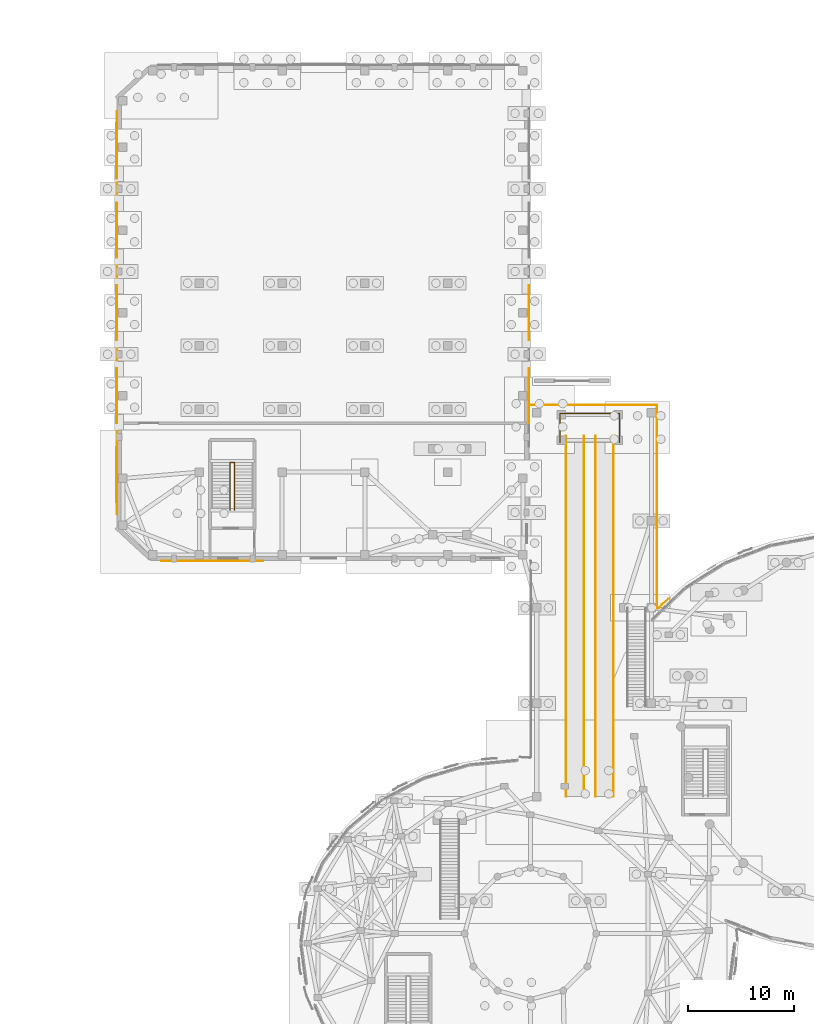
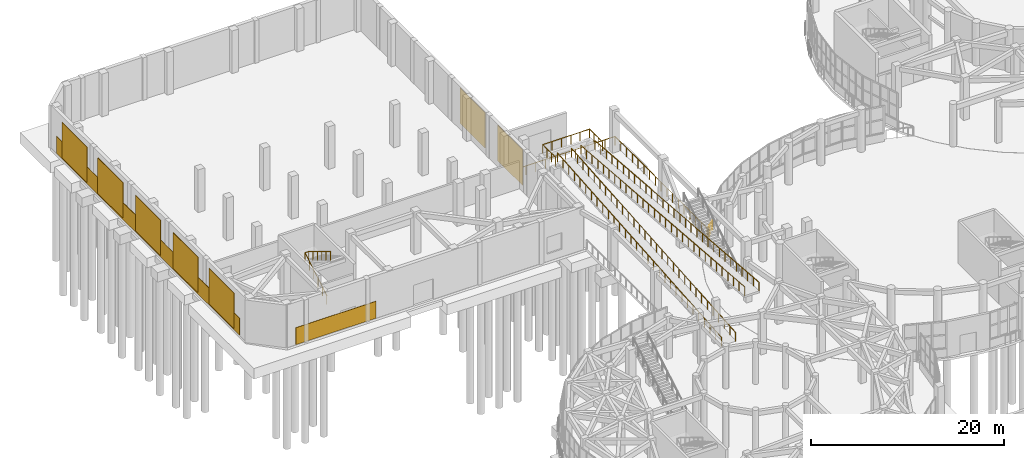
# One storey, part 87 of 96: 9 coverings, 8 railings.
"""IFC4 building model written with IfcOpenShell, lengths in metres."""

from ifc_helpers import new_model, si_unit, direction, frame, origin, origin_2d, place, context, subcontext, project, spatial, rectangle, circle, extrude, material, layer, layer_set, type_object, element, save


model = new_model("IFC4")

# Units and contexts
model_context = context("Model", 3, precision=1e-05, world=origin(), true_north=direction((0.0, 1.0)))
body_context = subcontext(model_context, "Body", "Model", "MODEL_VIEW")
ifc_project = project(units=[si_unit("LENGTHUNIT", "METRE"), si_unit("AREAUNIT", "SQUARE_METRE"), si_unit("VOLUMEUNIT", "CUBIC_METRE"), si_unit("PLANEANGLEUNIT", "RADIAN"), si_unit("MASSUNIT", "GRAM", prefix="KILO")], contexts=[model_context])

# Site, building, storey
site_placement = place(None, origin())
site = spatial("IfcSite", under=ifc_project, at=site_placement, CompositionType="ELEMENT")
building_placement = place(site_placement, origin())
building = spatial("IfcBuilding", under=site, at=building_placement, Name="Pelvatis Terrace Science Centre", CompositionType="ELEMENT")
storey_placement = place(building_placement, origin())
storey = spatial("IfcBuildingStorey", under=building, at=storey_placement, Name="L00", CompositionType="ELEMENT", Elevation=0.0)

# Coverings
ifc_material_1 = material(Name="Polished black Uruguayan granite ashlar cladding", Category="masonry")
ifc_layer_1 = layer(ifc_material_1, 0.050048828125)
ifc_layer_set_1 = layer_set([ifc_layer_1], Name="Polished black Uruguayan granite ashlar cladding")
covering_type_1 = type_object("IfcCoveringType", Name="COV-CLAD-GRAN-50", PredefinedType="CLADDING", material=ifc_layer_set_1)
covering_1_placement = place(storey_placement, frame((7.820068359375, 93.60009765625, 0.050048828125), z_axis=(0.0, 0.0, 1.0), x_axis=(1.0, 0.0, 0.0)))
element("IfcCovering", 1, at=covering_1_placement, inside=storey, type_object=covering_type_1, Name="Theatre black granite ashlar plinth W", PredefinedType="CLADDING", context=body_context, shape_type="SweptSolid", body=[
    extrude(rectangle(XDim=0.050048828125, YDim=38.0, at=origin_2d()), origin(), (0.0, 0.0, 1.0), 2.14990234375),
])
covering_2_placement = place(storey_placement, frame((16.800048828125, 70.219970703125, 0.050048828125), z_axis=(0.0, 0.0, 1.0), x_axis=(1.0, 0.0, 0.0)))
element("IfcCovering", 2, at=covering_2_placement, inside=storey, type_object=covering_type_1, Name="Theatre black granite ashlar plinth S", PredefinedType="CLADDING", context=body_context, shape_type="SweptSolid", body=[
    extrude(rectangle(XDim=9.60009765625, YDim=0.050048828125, at=origin_2d()), origin(), (0.0, 0.0, 1.0), 2.14990234375),
])
ifc_material_2 = material(Name="Fluted warm stone-aggregate precast facade relief panel", Category="masonry")
ifc_layer_2 = layer(ifc_material_2, 0.054931640625)
ifc_layer_set_2 = layer_set([ifc_layer_2], Name="Fluted warm stone-aggregate precast facade relief panel")
covering_type_2 = type_object("IfcCoveringType", Name="COV-CLAD-PREC-55", PredefinedType="CLADDING", material=ifc_layer_set_2)
for number, where, z_axis, x_axis, name in (
    (3, (7.8173828125, 78.35009765625, 0.199951171875), (0.0, 0.0, 1.0), (1.0, 0.0, 0.0), "Theatre fluted Art Deco relief panel W1 (L00)"),
    (4, (7.8173828125, 85.800048828125, 0.199951171875), (0.0, 0.0, 1.0), (1.0, 0.0, 0.0), "Theatre fluted Art Deco relief panel W2 (L00)"),
    (5, (7.8173828125, 93.60009765625, 0.199951171875), (0.0, 0.0, 1.0), (1.0, 0.0, 0.0), "Theatre fluted Art Deco relief panel W3 (L00)"),
    (6, (7.8173828125, 101.39990234375, 0.199951171875), (0.0, 0.0, 1.0), (1.0, 0.0, 0.0), "Theatre fluted Art Deco relief panel W4 (L00)"),
    (7, (7.8173828125, 108.85009765625, 0.199951171875), (0.0, 0.0, 1.0), (1.0, 0.0, 0.0), "Theatre fluted Art Deco relief panel W5 (L00)"),
    (8, (46.6826171875, 85.800048828125, 0.199951171875), (0.0, 0.0, 1.0), (1.0, 0.0, 0.0), "Theatre fluted Art Deco relief panel E1 (L00)"),
    (9, (46.6826171875, 93.60009765625, 0.199951171875), (0.0, 0.0, 1.0), (1.0, 0.0, 0.0), "Theatre fluted Art Deco relief panel E2 (L00)"),
):
    element("IfcCovering", number, at=place(storey_placement, frame(where, z_axis=z_axis, x_axis=x_axis)), inside=storey, type_object=covering_type_2, Name=name, PredefinedType="CLADDING", context=body_context, shape_type="SweptSolid", body=[
        extrude(rectangle(XDim=0.054931640625, YDim=5.199951171875, at=origin_2d()), origin(), (0.0, 0.0, 1.0), 4.5),
    ])

# Railings
ifc_material_3 = material(Name="Bronze-anodised aluminium and laminated safety glass balustrade", Category="aluminium")
railing_type_1 = type_object("IfcRailingType", Name="RLG-BAL-1150", PredefinedType="BALUSTRADE", material=ifc_material_3)
railing_1_placement = place(storey_placement, frame((46.875, 84.93994140625, 0.0)))
element("IfcRailing", 10, at=railing_1_placement, inside=storey, type_object=railing_type_1, Name="Perimeter edge balustrade RLG-EDG-L00-015", PredefinedType="BALUSTRADE", context=body_context, shape_type="SweptSolid", body=[
    extrude(circle(Radius=0.02392578125, at=origin_2d()), frame((0.0, 0.0, 1.1259765625), z_axis=(1.0, 0.0, 0.0), x_axis=(0.0, 1.0, 0.0)), (0.0, 0.0, 1.0), 11.864990234375),
    extrude(circle(Radius=0.02392578125, at=origin_2d()), frame((11.864990234375, 0.0, 1.1259765625), z_axis=(0.0, -1.0, 0.0), x_axis=(1.0, 0.0, 0.0)), (0.0, 0.0, 1.0), 19.093994140625),
    extrude(circle(Radius=0.02392578125, at=origin_2d()), frame((11.864990234375, -19.093994140625, 1.1259765625), z_axis=(0.521355438832, -0.853339619613, 0.0), x_axis=(0.853339619613, 0.521355438832, 0.0)), (0.0, 0.0, 1.0), 0.1044921875),
    extrude(circle(Radius=0.02392578125, at=origin_2d()), frame((11.91943359375, -19.18310546875, 1.1259765625), z_axis=(0.995986722367, 0.089501110996, 0.0), x_axis=(-0.089501110996, 0.995986722367, 0.0)), (0.0, 0.0, 1.0), 0.1064453125),
    extrude(circle(Radius=0.02099609375, at=origin_2d()), origin(), (0.0, 0.0, 1.0), 1.101806640625),
    extrude(circle(Radius=0.02099609375, at=origin_2d()), frame((1.1865234375, 0.0, 0.0)), (0.0, 0.0, 1.0), 1.101806640625),
    extrude(circle(Radius=0.02099609375, at=origin_2d()), frame((2.373046875, 0.0, 0.0)), (0.0, 0.0, 1.0), 1.101806640625),
    extrude(circle(Radius=0.02099609375, at=origin_2d()), frame((3.5595703125, 0.0, 0.0)), (0.0, 0.0, 1.0), 1.101806640625),
    extrude(circle(Radius=0.02099609375, at=origin_2d()), frame((4.74609375, 0.0, 0.0)), (0.0, 0.0, 1.0), 1.101806640625),
    extrude(circle(Radius=0.02099609375, at=origin_2d()), frame((5.9326171875, 0.0, 0.0)), (0.0, 0.0, 1.0), 1.101806640625),
    extrude(circle(Radius=0.02099609375, at=origin_2d()), frame((7.118896484375, 0.0, 0.0)), (0.0, 0.0, 1.0), 1.101806640625),
    extrude(circle(Radius=0.02099609375, at=origin_2d()), frame((8.305419921875, 0.0, 0.0)), (0.0, 0.0, 1.0), 1.101806640625),
    extrude(circle(Radius=0.02099609375, at=origin_2d()), frame((9.491943359375, 0.0, 0.0)), (0.0, 0.0, 1.0), 1.101806640625),
    extrude(circle(Radius=0.02099609375, at=origin_2d()), frame((10.678466796875, 0.0, 0.0)), (0.0, 0.0, 1.0), 1.101806640625),
    extrude(circle(Radius=0.02099609375, at=origin_2d()), frame((11.864990234375, 0.0, 0.0)), (0.0, 0.0, 1.0), 1.101806640625),
    extrude(circle(Radius=0.02099609375, at=origin_2d()), frame((11.864990234375, -1.193359375, 0.0)), (0.0, 0.0, 1.0), 1.101806640625),
    extrude(circle(Radius=0.02099609375, at=origin_2d()), frame((11.864990234375, -2.38671875, 0.0)), (0.0, 0.0, 1.0), 1.101806640625),
    extrude(circle(Radius=0.02099609375, at=origin_2d()), frame((11.864990234375, -3.580078125, 0.0)), (0.0, 0.0, 1.0), 1.101806640625),
    extrude(circle(Radius=0.02099609375, at=origin_2d()), frame((11.864990234375, -4.7734375, 0.0)), (0.0, 0.0, 1.0), 1.101806640625),
    extrude(circle(Radius=0.02099609375, at=origin_2d()), frame((11.864990234375, -5.966796875, 0.0)), (0.0, 0.0, 1.0), 1.101806640625),
    extrude(circle(Radius=0.02099609375, at=origin_2d()), frame((11.864990234375, -7.16015625, 0.0)), (0.0, 0.0, 1.0), 1.101806640625),
    extrude(circle(Radius=0.02099609375, at=origin_2d()), frame((11.864990234375, -8.353515625, 0.0)), (0.0, 0.0, 1.0), 1.101806640625),
    extrude(circle(Radius=0.02099609375, at=origin_2d()), frame((11.864990234375, -9.546875, 0.0)), (0.0, 0.0, 1.0), 1.101806640625),
    extrude(circle(Radius=0.02099609375, at=origin_2d()), frame((11.864990234375, -10.740478515625, 0.0)), (0.0, 0.0, 1.0), 1.101806640625),
    extrude(circle(Radius=0.02099609375, at=origin_2d()), frame((11.864990234375, -11.933837890625, 0.0)), (0.0, 0.0, 1.0), 1.101806640625),
    extrude(circle(Radius=0.02099609375, at=origin_2d()), frame((11.864990234375, -13.127197265625, 0.0)), (0.0, 0.0, 1.0), 1.101806640625),
    extrude(circle(Radius=0.02099609375, at=origin_2d()), frame((11.864990234375, -14.320556640625, 0.0)), (0.0, 0.0, 1.0), 1.101806640625),
    extrude(circle(Radius=0.02099609375, at=origin_2d()), frame((11.864990234375, -15.513916015625, 0.0)), (0.0, 0.0, 1.0), 1.101806640625),
    extrude(circle(Radius=0.02099609375, at=origin_2d()), frame((11.864990234375, -16.707275390625, 0.0)), (0.0, 0.0, 1.0), 1.101806640625),
    extrude(circle(Radius=0.02099609375, at=origin_2d()), frame((11.864990234375, -17.900634765625, 0.0)), (0.0, 0.0, 1.0), 1.101806640625),
    extrude(circle(Radius=0.02099609375, at=origin_2d()), frame((11.864990234375, -19.093994140625, 0.0)), (0.0, 0.0, 1.0), 1.101806640625),
    extrude(circle(Radius=0.02099609375, at=origin_2d()), frame((11.91943359375, -19.18310546875, 0.0)), (0.0, 0.0, 1.0), 1.101806640625),
    extrude(circle(Radius=0.02099609375, at=origin_2d()), frame((12.025390625, -19.173583984375, 0.0)), (0.0, 0.0, 1.0), 1.101806640625),
])
railing_2_placement = place(storey_placement, frame((58.91796875, 65.783203125, 0.0)))
element("IfcRailing", 11, at=railing_2_placement, inside=storey, type_object=railing_type_1, Name="Perimeter edge balustrade RLG-EDG-L00-016", PredefinedType="BALUSTRADE", context=body_context, shape_type="SweptSolid", body=[
    extrude(circle(Radius=0.02392578125, at=origin_2d()), frame((0.0, 0.0, 1.1259765625), z_axis=(0.652756978184, 0.757567374847, 0.0), x_axis=(-0.757567374847, 0.652756978184, 0.0)), (0.0, 0.0, 1.0), 0.449462890625),
    extrude(circle(Radius=0.02392578125, at=origin_2d()), frame((0.29345703125, 0.340576171875, 1.1259765625), z_axis=(0.755079664758, 0.655633052759, 0.0), x_axis=(-0.655633052759, 0.755079664758, 0.0)), (0.0, 0.0, 1.0), 0.820068359375),
    extrude(circle(Radius=0.02099609375, at=origin_2d()), origin(), (0.0, 0.0, 1.0), 1.101806640625),
    extrude(circle(Radius=0.02099609375, at=origin_2d()), frame((0.29345703125, 0.340576171875, 0.0)), (0.0, 0.0, 1.0), 1.101806640625),
    extrude(circle(Radius=0.02099609375, at=origin_2d()), frame((0.91259765625, 0.878173828125, 0.0)), (0.0, 0.0, 1.0), 1.101806640625),
])
ifc_material_4 = material(Name="Brushed architectural bronze tubular railing", Category="steel")
railing_type_2 = type_object("IfcRailingType", Name="RLG-GRD-1120", PredefinedType="GUARDRAIL", material=ifc_material_4)
railing_3_placement = place(storey_placement, frame((18.47998046875, 75.0, 0.0)))
element("IfcRailing", 12, at=railing_3_placement, inside=storey, type_object=railing_type_2, Name="Stair ST-07-L00 inner well guard", PredefinedType="GUARDRAIL", context=body_context, shape_type="SweptSolid", body=[
    extrude(circle(Radius=0.02392578125, at=origin_2d()), frame((0.0, 0.0, 1.09619140625), z_axis=(0.0, 0.857497030584, 0.514488913912), x_axis=(-1.0, 0.0, 0.0)), (0.0, 0.0, 1.0), 5.247802734375),
    extrude(circle(Radius=0.02392578125, at=origin_2d()), frame((0.0, 4.5, 3.7958984375), z_axis=(1.0, 0.0, 0.0), x_axis=(0.0, 1.0, 0.0)), (0.0, 0.0, 1.0), 0.43994140625),
    extrude(circle(Radius=0.02392578125, at=origin_2d()), frame((0.43994140625, 4.5, 3.7958984375), z_axis=(0.0, -0.857497030584, 0.514488913912), x_axis=(1.0, 0.0, 0.0)), (0.0, 0.0, 1.0), 5.247802734375),
    extrude(circle(Radius=0.02099609375, at=origin_2d()), origin(), (0.0, 0.0, 1.0), 1.072021484375),
    extrude(circle(Radius=0.02099609375, at=origin_2d()), frame((0.0, 0.89990234375, 0.5400390625)), (0.0, 0.0, 1.0), 1.072021484375),
    extrude(circle(Radius=0.02099609375, at=origin_2d()), frame((0.0, 1.800048828125, 1.080078125)), (0.0, 0.0, 1.0), 1.072021484375),
    extrude(circle(Radius=0.02099609375, at=origin_2d()), frame((0.0, 2.699951171875, 1.619873046875)), (0.0, 0.0, 1.0), 1.072021484375),
    extrude(circle(Radius=0.02099609375, at=origin_2d()), frame((0.0, 3.60009765625, 2.159912109375)), (0.0, 0.0, 1.0), 1.072021484375),
    extrude(circle(Radius=0.02099609375, at=origin_2d()), frame((0.0, 4.5, 2.699951171875)), (0.0, 0.0, 1.0), 1.072021484375),
    extrude(circle(Radius=0.02099609375, at=origin_2d()), frame((0.43994140625, 4.5, 2.699951171875)), (0.0, 0.0, 1.0), 1.072021484375),
    extrude(circle(Radius=0.02099609375, at=origin_2d()), frame((0.43994140625, 3.60009765625, 3.239990234375)), (0.0, 0.0, 1.0), 1.072021484375),
    extrude(circle(Radius=0.02099609375, at=origin_2d()), frame((0.43994140625, 2.699951171875, 3.780029296875)), (0.0, 0.0, 1.0), 1.072021484375),
    extrude(circle(Radius=0.02099609375, at=origin_2d()), frame((0.43994140625, 1.800048828125, 4.31982421875)), (0.0, 0.0, 1.0), 1.072021484375),
    extrude(circle(Radius=0.02099609375, at=origin_2d()), frame((0.43994140625, 0.89990234375, 4.85986328125)), (0.0, 0.0, 1.0), 1.072021484375),
    extrude(circle(Radius=0.02099609375, at=origin_2d()), frame((0.43994140625, 0.0, 5.39990234375)), (0.0, 0.0, 1.0), 1.072021484375),
])
railing_4_placement = place(storey_placement, frame((50.14990234375, 48.0, 0.0)))
element("IfcRailing", 13, at=railing_4_placement, inside=storey, type_object=railing_type_2, Name="Accessible ramp guardrail 1", PredefinedType="GUARDRAIL", context=body_context, shape_type="SweptSolid", body=[
    extrude(circle(Radius=0.02392578125, at=origin_2d()), frame((0.0, 0.0, 1.09619140625), z_axis=(0.0, 0.996861834039, 0.079161125794), x_axis=(-1.0, 0.0, 0.0)), (0.0, 0.0, 1.0), 34.10693359375),
    extrude(circle(Radius=0.02099609375, at=origin_2d()), origin(), (0.0, 0.0, 1.0), 1.072021484375),
    extrude(circle(Radius=0.02099609375, at=origin_2d()), frame((0.0, 1.17236328125, 0.093017578125)), (0.0, 0.0, 1.0), 1.072021484375),
    extrude(circle(Radius=0.02099609375, at=origin_2d()), frame((0.0, 2.3447265625, 0.186279296875)), (0.0, 0.0, 1.0), 1.072021484375),
    extrude(circle(Radius=0.02099609375, at=origin_2d()), frame((0.0, 3.517333984375, 0.279296875)), (0.0, 0.0, 1.0), 1.072021484375),
    extrude(circle(Radius=0.02099609375, at=origin_2d()), frame((0.0, 4.689697265625, 0.372314453125)), (0.0, 0.0, 1.0), 1.072021484375),
    extrude(circle(Radius=0.02099609375, at=origin_2d()), frame((0.0, 5.862060546875, 0.465576171875)), (0.0, 0.0, 1.0), 1.072021484375),
    extrude(circle(Radius=0.02099609375, at=origin_2d()), frame((0.0, 7.034423828125, 0.55859375)), (0.0, 0.0, 1.0), 1.072021484375),
    extrude(circle(Radius=0.02099609375, at=origin_2d()), frame((0.0, 8.206787109375, 0.651611328125)), (0.0, 0.0, 1.0), 1.072021484375),
    extrude(circle(Radius=0.02099609375, at=origin_2d()), frame((0.0, 9.37939453125, 0.744873046875)), (0.0, 0.0, 1.0), 1.072021484375),
    extrude(circle(Radius=0.02099609375, at=origin_2d()), frame((0.0, 10.5517578125, 0.837890625)), (0.0, 0.0, 1.0), 1.072021484375),
    extrude(circle(Radius=0.02099609375, at=origin_2d()), frame((0.0, 11.72412109375, 0.930908203125)), (0.0, 0.0, 1.0), 1.072021484375),
    extrude(circle(Radius=0.02099609375, at=origin_2d()), frame((0.0, 12.896484375, 1.024169921875)), (0.0, 0.0, 1.0), 1.072021484375),
    extrude(circle(Radius=0.02099609375, at=origin_2d()), frame((0.0, 14.06884765625, 1.1171875)), (0.0, 0.0, 1.0), 1.072021484375),
    extrude(circle(Radius=0.02099609375, at=origin_2d()), frame((0.0, 15.241455078125, 1.210205078125)), (0.0, 0.0, 1.0), 1.072021484375),
    extrude(circle(Radius=0.02099609375, at=origin_2d()), frame((0.0, 16.413818359375, 1.303466796875)), (0.0, 0.0, 1.0), 1.072021484375),
    extrude(circle(Radius=0.02099609375, at=origin_2d()), frame((0.0, 17.586181640625, 1.396484375)), (0.0, 0.0, 1.0), 1.072021484375),
    extrude(circle(Radius=0.02099609375, at=origin_2d()), frame((0.0, 18.758544921875, 1.48974609375)), (0.0, 0.0, 1.0), 1.072021484375),
    extrude(circle(Radius=0.02099609375, at=origin_2d()), frame((0.0, 19.93115234375, 1.582763671875)), (0.0, 0.0, 1.0), 1.072021484375),
    extrude(circle(Radius=0.02099609375, at=origin_2d()), frame((0.0, 21.103515625, 1.67578125)), (0.0, 0.0, 1.0), 1.072021484375),
    extrude(circle(Radius=0.02099609375, at=origin_2d()), frame((0.0, 22.27587890625, 1.76904296875)), (0.0, 0.0, 1.0), 1.072021484375),
    extrude(circle(Radius=0.02099609375, at=origin_2d()), frame((0.0, 23.4482421875, 1.862060546875)), (0.0, 0.0, 1.0), 1.072021484375),
    extrude(circle(Radius=0.02099609375, at=origin_2d()), frame((0.0, 24.62060546875, 1.955078125)), (0.0, 0.0, 1.0), 1.072021484375),
    extrude(circle(Radius=0.02099609375, at=origin_2d()), frame((0.0, 25.793212890625, 2.04833984375)), (0.0, 0.0, 1.0), 1.072021484375),
    extrude(circle(Radius=0.02099609375, at=origin_2d()), frame((0.0, 26.965576171875, 2.141357421875)), (0.0, 0.0, 1.0), 1.072021484375),
    extrude(circle(Radius=0.02099609375, at=origin_2d()), frame((0.0, 28.137939453125, 2.234375)), (0.0, 0.0, 1.0), 1.072021484375),
    extrude(circle(Radius=0.02099609375, at=origin_2d()), frame((0.0, 29.310302734375, 2.32763671875)), (0.0, 0.0, 1.0), 1.072021484375),
    extrude(circle(Radius=0.02099609375, at=origin_2d()), frame((0.0, 30.482666015625, 2.420654296875)), (0.0, 0.0, 1.0), 1.072021484375),
    extrude(circle(Radius=0.02099609375, at=origin_2d()), frame((0.0, 31.6552734375, 2.513671875)), (0.0, 0.0, 1.0), 1.072021484375),
    extrude(circle(Radius=0.02099609375, at=origin_2d()), frame((0.0, 32.82763671875, 2.60693359375)), (0.0, 0.0, 1.0), 1.072021484375),
    extrude(circle(Radius=0.02099609375, at=origin_2d()), frame((0.0, 34.0, 2.699951171875)), (0.0, 0.0, 1.0), 1.072021484375),
])
railing_5_placement = place(storey_placement, frame((51.85009765625, 48.0, 0.0)))
element("IfcRailing", 14, at=railing_5_placement, inside=storey, type_object=railing_type_2, Name="Accessible ramp guardrail 2", PredefinedType="GUARDRAIL", context=body_context, shape_type="SweptSolid", body=[
    extrude(circle(Radius=0.02392578125, at=origin_2d()), frame((0.0, 0.0, 1.09619140625), z_axis=(0.0, 0.996861834039, 0.079161125794), x_axis=(-1.0, 0.0, 0.0)), (0.0, 0.0, 1.0), 34.10693359375),
    extrude(circle(Radius=0.02099609375, at=origin_2d()), origin(), (0.0, 0.0, 1.0), 1.072021484375),
    extrude(circle(Radius=0.02099609375, at=origin_2d()), frame((0.0, 1.17236328125, 0.093017578125)), (0.0, 0.0, 1.0), 1.072021484375),
    extrude(circle(Radius=0.02099609375, at=origin_2d()), frame((0.0, 2.3447265625, 0.186279296875)), (0.0, 0.0, 1.0), 1.072021484375),
    extrude(circle(Radius=0.02099609375, at=origin_2d()), frame((0.0, 3.517333984375, 0.279296875)), (0.0, 0.0, 1.0), 1.072021484375),
    extrude(circle(Radius=0.02099609375, at=origin_2d()), frame((0.0, 4.689697265625, 0.372314453125)), (0.0, 0.0, 1.0), 1.072021484375),
    extrude(circle(Radius=0.02099609375, at=origin_2d()), frame((0.0, 5.862060546875, 0.465576171875)), (0.0, 0.0, 1.0), 1.072021484375),
    extrude(circle(Radius=0.02099609375, at=origin_2d()), frame((0.0, 7.034423828125, 0.55859375)), (0.0, 0.0, 1.0), 1.072021484375),
    extrude(circle(Radius=0.02099609375, at=origin_2d()), frame((0.0, 8.206787109375, 0.651611328125)), (0.0, 0.0, 1.0), 1.072021484375),
    extrude(circle(Radius=0.02099609375, at=origin_2d()), frame((0.0, 9.37939453125, 0.744873046875)), (0.0, 0.0, 1.0), 1.072021484375),
    extrude(circle(Radius=0.02099609375, at=origin_2d()), frame((0.0, 10.5517578125, 0.837890625)), (0.0, 0.0, 1.0), 1.072021484375),
    extrude(circle(Radius=0.02099609375, at=origin_2d()), frame((0.0, 11.72412109375, 0.930908203125)), (0.0, 0.0, 1.0), 1.072021484375),
    extrude(circle(Radius=0.02099609375, at=origin_2d()), frame((0.0, 12.896484375, 1.024169921875)), (0.0, 0.0, 1.0), 1.072021484375),
    extrude(circle(Radius=0.02099609375, at=origin_2d()), frame((0.0, 14.06884765625, 1.1171875)), (0.0, 0.0, 1.0), 1.072021484375),
    extrude(circle(Radius=0.02099609375, at=origin_2d()), frame((0.0, 15.241455078125, 1.210205078125)), (0.0, 0.0, 1.0), 1.072021484375),
    extrude(circle(Radius=0.02099609375, at=origin_2d()), frame((0.0, 16.413818359375, 1.303466796875)), (0.0, 0.0, 1.0), 1.072021484375),
    extrude(circle(Radius=0.02099609375, at=origin_2d()), frame((0.0, 17.586181640625, 1.396484375)), (0.0, 0.0, 1.0), 1.072021484375),
    extrude(circle(Radius=0.02099609375, at=origin_2d()), frame((0.0, 18.758544921875, 1.48974609375)), (0.0, 0.0, 1.0), 1.072021484375),
    extrude(circle(Radius=0.02099609375, at=origin_2d()), frame((0.0, 19.93115234375, 1.582763671875)), (0.0, 0.0, 1.0), 1.072021484375),
    extrude(circle(Radius=0.02099609375, at=origin_2d()), frame((0.0, 21.103515625, 1.67578125)), (0.0, 0.0, 1.0), 1.072021484375),
    extrude(circle(Radius=0.02099609375, at=origin_2d()), frame((0.0, 22.27587890625, 1.76904296875)), (0.0, 0.0, 1.0), 1.072021484375),
    extrude(circle(Radius=0.02099609375, at=origin_2d()), frame((0.0, 23.4482421875, 1.862060546875)), (0.0, 0.0, 1.0), 1.072021484375),
    extrude(circle(Radius=0.02099609375, at=origin_2d()), frame((0.0, 24.62060546875, 1.955078125)), (0.0, 0.0, 1.0), 1.072021484375),
    extrude(circle(Radius=0.02099609375, at=origin_2d()), frame((0.0, 25.793212890625, 2.04833984375)), (0.0, 0.0, 1.0), 1.072021484375),
    extrude(circle(Radius=0.02099609375, at=origin_2d()), frame((0.0, 26.965576171875, 2.141357421875)), (0.0, 0.0, 1.0), 1.072021484375),
    extrude(circle(Radius=0.02099609375, at=origin_2d()), frame((0.0, 28.137939453125, 2.234375)), (0.0, 0.0, 1.0), 1.072021484375),
    extrude(circle(Radius=0.02099609375, at=origin_2d()), frame((0.0, 29.310302734375, 2.32763671875)), (0.0, 0.0, 1.0), 1.072021484375),
    extrude(circle(Radius=0.02099609375, at=origin_2d()), frame((0.0, 30.482666015625, 2.420654296875)), (0.0, 0.0, 1.0), 1.072021484375),
    extrude(circle(Radius=0.02099609375, at=origin_2d()), frame((0.0, 31.6552734375, 2.513671875)), (0.0, 0.0, 1.0), 1.072021484375),
    extrude(circle(Radius=0.02099609375, at=origin_2d()), frame((0.0, 32.82763671875, 2.60693359375)), (0.0, 0.0, 1.0), 1.072021484375),
    extrude(circle(Radius=0.02099609375, at=origin_2d()), frame((0.0, 34.0, 2.699951171875)), (0.0, 0.0, 1.0), 1.072021484375),
])
railing_6_placement = place(storey_placement, frame((52.949951171875, 82.0, 2.699951171875)))
element("IfcRailing", 15, at=railing_6_placement, inside=storey, type_object=railing_type_2, Name="Accessible ramp guardrail 3", PredefinedType="GUARDRAIL", context=body_context, shape_type="SweptSolid", body=[
    extrude(circle(Radius=0.02392578125, at=origin_2d()), frame((0.0, 0.0, 1.09619140625), z_axis=(0.0, -0.996861834039, 0.079161125794), x_axis=(1.0, 0.0, 0.0)), (0.0, 0.0, 1.0), 34.10693359375),
    extrude(circle(Radius=0.02099609375, at=origin_2d()), origin(), (0.0, 0.0, 1.0), 1.072021484375),
    extrude(circle(Radius=0.02099609375, at=origin_2d()), frame((0.0, -1.17236328125, 0.093017578125)), (0.0, 0.0, 1.0), 1.072021484375),
    extrude(circle(Radius=0.02099609375, at=origin_2d()), frame((0.0, -2.3447265625, 0.186279296875)), (0.0, 0.0, 1.0), 1.072021484375),
    extrude(circle(Radius=0.02099609375, at=origin_2d()), frame((0.0, -3.517333984375, 0.279296875)), (0.0, 0.0, 1.0), 1.072021484375),
    extrude(circle(Radius=0.02099609375, at=origin_2d()), frame((0.0, -4.689697265625, 0.372314453125)), (0.0, 0.0, 1.0), 1.072021484375),
    extrude(circle(Radius=0.02099609375, at=origin_2d()), frame((0.0, -5.862060546875, 0.465576171875)), (0.0, 0.0, 1.0), 1.072021484375),
    extrude(circle(Radius=0.02099609375, at=origin_2d()), frame((0.0, -7.034423828125, 0.55859375)), (0.0, 0.0, 1.0), 1.072021484375),
    extrude(circle(Radius=0.02099609375, at=origin_2d()), frame((0.0, -8.206787109375, 0.651611328125)), (0.0, 0.0, 1.0), 1.072021484375),
    extrude(circle(Radius=0.02099609375, at=origin_2d()), frame((0.0, -9.37939453125, 0.744873046875)), (0.0, 0.0, 1.0), 1.072021484375),
    extrude(circle(Radius=0.02099609375, at=origin_2d()), frame((0.0, -10.5517578125, 0.837890625)), (0.0, 0.0, 1.0), 1.072021484375),
    extrude(circle(Radius=0.02099609375, at=origin_2d()), frame((0.0, -11.72412109375, 0.930908203125)), (0.0, 0.0, 1.0), 1.072021484375),
    extrude(circle(Radius=0.02099609375, at=origin_2d()), frame((0.0, -12.896484375, 1.024169921875)), (0.0, 0.0, 1.0), 1.072021484375),
    extrude(circle(Radius=0.02099609375, at=origin_2d()), frame((0.0, -14.06884765625, 1.1171875)), (0.0, 0.0, 1.0), 1.072021484375),
    extrude(circle(Radius=0.02099609375, at=origin_2d()), frame((0.0, -15.241455078125, 1.210205078125)), (0.0, 0.0, 1.0), 1.072021484375),
    extrude(circle(Radius=0.02099609375, at=origin_2d()), frame((0.0, -16.413818359375, 1.303466796875)), (0.0, 0.0, 1.0), 1.072021484375),
    extrude(circle(Radius=0.02099609375, at=origin_2d()), frame((0.0, -17.586181640625, 1.396484375)), (0.0, 0.0, 1.0), 1.072021484375),
    extrude(circle(Radius=0.02099609375, at=origin_2d()), frame((0.0, -18.758544921875, 1.48974609375)), (0.0, 0.0, 1.0), 1.072021484375),
    extrude(circle(Radius=0.02099609375, at=origin_2d()), frame((0.0, -19.93115234375, 1.582763671875)), (0.0, 0.0, 1.0), 1.072021484375),
    extrude(circle(Radius=0.02099609375, at=origin_2d()), frame((0.0, -21.103515625, 1.67578125)), (0.0, 0.0, 1.0), 1.072021484375),
    extrude(circle(Radius=0.02099609375, at=origin_2d()), frame((0.0, -22.27587890625, 1.76904296875)), (0.0, 0.0, 1.0), 1.072021484375),
    extrude(circle(Radius=0.02099609375, at=origin_2d()), frame((0.0, -23.4482421875, 1.862060546875)), (0.0, 0.0, 1.0), 1.072021484375),
    extrude(circle(Radius=0.02099609375, at=origin_2d()), frame((0.0, -24.62060546875, 1.955078125)), (0.0, 0.0, 1.0), 1.072021484375),
    extrude(circle(Radius=0.02099609375, at=origin_2d()), frame((0.0, -25.793212890625, 2.04833984375)), (0.0, 0.0, 1.0), 1.072021484375),
    extrude(circle(Radius=0.02099609375, at=origin_2d()), frame((0.0, -26.965576171875, 2.141357421875)), (0.0, 0.0, 1.0), 1.072021484375),
    extrude(circle(Radius=0.02099609375, at=origin_2d()), frame((0.0, -28.137939453125, 2.234375)), (0.0, 0.0, 1.0), 1.072021484375),
    extrude(circle(Radius=0.02099609375, at=origin_2d()), frame((0.0, -29.310302734375, 2.32763671875)), (0.0, 0.0, 1.0), 1.072021484375),
    extrude(circle(Radius=0.02099609375, at=origin_2d()), frame((0.0, -30.482666015625, 2.420654296875)), (0.0, 0.0, 1.0), 1.072021484375),
    extrude(circle(Radius=0.02099609375, at=origin_2d()), frame((0.0, -31.6552734375, 2.513671875)), (0.0, 0.0, 1.0), 1.072021484375),
    extrude(circle(Radius=0.02099609375, at=origin_2d()), frame((0.0, -32.82763671875, 2.60693359375)), (0.0, 0.0, 1.0), 1.072021484375),
    extrude(circle(Radius=0.02099609375, at=origin_2d()), frame((0.0, -34.0, 2.699951171875)), (0.0, 0.0, 1.0), 1.072021484375),
])
railing_7_placement = place(storey_placement, frame((54.64990234375, 82.0, 2.699951171875)))
element("IfcRailing", 16, at=railing_7_placement, inside=storey, type_object=railing_type_2, Name="Accessible ramp guardrail 4", PredefinedType="GUARDRAIL", context=body_context, shape_type="SweptSolid", body=[
    extrude(circle(Radius=0.02392578125, at=origin_2d()), frame((0.0, 0.0, 1.09619140625), z_axis=(0.0, -0.996861834039, 0.079161125794), x_axis=(1.0, 0.0, 0.0)), (0.0, 0.0, 1.0), 34.10693359375),
    extrude(circle(Radius=0.02099609375, at=origin_2d()), origin(), (0.0, 0.0, 1.0), 1.072021484375),
    extrude(circle(Radius=0.02099609375, at=origin_2d()), frame((0.0, -1.17236328125, 0.093017578125)), (0.0, 0.0, 1.0), 1.072021484375),
    extrude(circle(Radius=0.02099609375, at=origin_2d()), frame((0.0, -2.3447265625, 0.186279296875)), (0.0, 0.0, 1.0), 1.072021484375),
    extrude(circle(Radius=0.02099609375, at=origin_2d()), frame((0.0, -3.517333984375, 0.279296875)), (0.0, 0.0, 1.0), 1.072021484375),
    extrude(circle(Radius=0.02099609375, at=origin_2d()), frame((0.0, -4.689697265625, 0.372314453125)), (0.0, 0.0, 1.0), 1.072021484375),
    extrude(circle(Radius=0.02099609375, at=origin_2d()), frame((0.0, -5.862060546875, 0.465576171875)), (0.0, 0.0, 1.0), 1.072021484375),
    extrude(circle(Radius=0.02099609375, at=origin_2d()), frame((0.0, -7.034423828125, 0.55859375)), (0.0, 0.0, 1.0), 1.072021484375),
    extrude(circle(Radius=0.02099609375, at=origin_2d()), frame((0.0, -8.206787109375, 0.651611328125)), (0.0, 0.0, 1.0), 1.072021484375),
    extrude(circle(Radius=0.02099609375, at=origin_2d()), frame((0.0, -9.37939453125, 0.744873046875)), (0.0, 0.0, 1.0), 1.072021484375),
    extrude(circle(Radius=0.02099609375, at=origin_2d()), frame((0.0, -10.5517578125, 0.837890625)), (0.0, 0.0, 1.0), 1.072021484375),
    extrude(circle(Radius=0.02099609375, at=origin_2d()), frame((0.0, -11.72412109375, 0.930908203125)), (0.0, 0.0, 1.0), 1.072021484375),
    extrude(circle(Radius=0.02099609375, at=origin_2d()), frame((0.0, -12.896484375, 1.024169921875)), (0.0, 0.0, 1.0), 1.072021484375),
    extrude(circle(Radius=0.02099609375, at=origin_2d()), frame((0.0, -14.06884765625, 1.1171875)), (0.0, 0.0, 1.0), 1.072021484375),
    extrude(circle(Radius=0.02099609375, at=origin_2d()), frame((0.0, -15.241455078125, 1.210205078125)), (0.0, 0.0, 1.0), 1.072021484375),
    extrude(circle(Radius=0.02099609375, at=origin_2d()), frame((0.0, -16.413818359375, 1.303466796875)), (0.0, 0.0, 1.0), 1.072021484375),
    extrude(circle(Radius=0.02099609375, at=origin_2d()), frame((0.0, -17.586181640625, 1.396484375)), (0.0, 0.0, 1.0), 1.072021484375),
    extrude(circle(Radius=0.02099609375, at=origin_2d()), frame((0.0, -18.758544921875, 1.48974609375)), (0.0, 0.0, 1.0), 1.072021484375),
    extrude(circle(Radius=0.02099609375, at=origin_2d()), frame((0.0, -19.93115234375, 1.582763671875)), (0.0, 0.0, 1.0), 1.072021484375),
    extrude(circle(Radius=0.02099609375, at=origin_2d()), frame((0.0, -21.103515625, 1.67578125)), (0.0, 0.0, 1.0), 1.072021484375),
    extrude(circle(Radius=0.02099609375, at=origin_2d()), frame((0.0, -22.27587890625, 1.76904296875)), (0.0, 0.0, 1.0), 1.072021484375),
    extrude(circle(Radius=0.02099609375, at=origin_2d()), frame((0.0, -23.4482421875, 1.862060546875)), (0.0, 0.0, 1.0), 1.072021484375),
    extrude(circle(Radius=0.02099609375, at=origin_2d()), frame((0.0, -24.62060546875, 1.955078125)), (0.0, 0.0, 1.0), 1.072021484375),
    extrude(circle(Radius=0.02099609375, at=origin_2d()), frame((0.0, -25.793212890625, 2.04833984375)), (0.0, 0.0, 1.0), 1.072021484375),
    extrude(circle(Radius=0.02099609375, at=origin_2d()), frame((0.0, -26.965576171875, 2.141357421875)), (0.0, 0.0, 1.0), 1.072021484375),
    extrude(circle(Radius=0.02099609375, at=origin_2d()), frame((0.0, -28.137939453125, 2.234375)), (0.0, 0.0, 1.0), 1.072021484375),
    extrude(circle(Radius=0.02099609375, at=origin_2d()), frame((0.0, -29.310302734375, 2.32763671875)), (0.0, 0.0, 1.0), 1.072021484375),
    extrude(circle(Radius=0.02099609375, at=origin_2d()), frame((0.0, -30.482666015625, 2.420654296875)), (0.0, 0.0, 1.0), 1.072021484375),
    extrude(circle(Radius=0.02099609375, at=origin_2d()), frame((0.0, -31.6552734375, 2.513671875)), (0.0, 0.0, 1.0), 1.072021484375),
    extrude(circle(Radius=0.02099609375, at=origin_2d()), frame((0.0, -32.82763671875, 2.60693359375)), (0.0, 0.0, 1.0), 1.072021484375),
    extrude(circle(Radius=0.02099609375, at=origin_2d()), frame((0.0, -34.0, 2.699951171875)), (0.0, 0.0, 1.0), 1.072021484375),
])
railing_8_placement = place(storey_placement, frame((49.60009765625, 81.39990234375, 2.699951171875)))
element("IfcRailing", 17, at=railing_8_placement, inside=storey, type_object=railing_type_2, Name="Accessible ramp guardrail 5", PredefinedType="GUARDRAIL", context=body_context, shape_type="SweptSolid", body=[
    extrude(circle(Radius=0.02392578125, at=origin_2d()), frame((0.0, 0.0, 1.09619140625), z_axis=(0.0, 1.0, 0.0), x_axis=(-1.0, 0.0, 0.0)), (0.0, 0.0, 1.0), 2.7001953125),
    extrude(circle(Radius=0.02392578125, at=origin_2d()), frame((0.0, 2.7001953125, 1.09619140625), z_axis=(1.0, 0.0, 0.0), x_axis=(0.0, 1.0, 0.0)), (0.0, 0.0, 1.0), 5.599853515625),
    extrude(circle(Radius=0.02392578125, at=origin_2d()), frame((5.599853515625, 2.7001953125, 1.09619140625), z_axis=(0.0, -1.0, 0.0), x_axis=(1.0, 0.0, 0.0)), (0.0, 0.0, 1.0), 2.7001953125),
    extrude(circle(Radius=0.02099609375, at=origin_2d()), origin(), (0.0, 0.0, 1.0), 1.072021484375),
    extrude(circle(Radius=0.02099609375, at=origin_2d()), frame((0.0, 0.900146484375, 0.0)), (0.0, 0.0, 1.0), 1.072021484375),
    extrude(circle(Radius=0.02099609375, at=origin_2d()), frame((0.0, 1.800048828125, 0.0)), (0.0, 0.0, 1.0), 1.072021484375),
    extrude(circle(Radius=0.02099609375, at=origin_2d()), frame((0.0, 2.7001953125, 0.0)), (0.0, 0.0, 1.0), 1.072021484375),
    extrude(circle(Radius=0.02099609375, at=origin_2d()), frame((1.119873046875, 2.7001953125, 0.0)), (0.0, 0.0, 1.0), 1.072021484375),
    extrude(circle(Radius=0.02099609375, at=origin_2d()), frame((2.239990234375, 2.7001953125, 0.0)), (0.0, 0.0, 1.0), 1.072021484375),
    extrude(circle(Radius=0.02099609375, at=origin_2d()), frame((3.35986328125, 2.7001953125, 0.0)), (0.0, 0.0, 1.0), 1.072021484375),
    extrude(circle(Radius=0.02099609375, at=origin_2d()), frame((4.47998046875, 2.7001953125, 0.0)), (0.0, 0.0, 1.0), 1.072021484375),
    extrude(circle(Radius=0.02099609375, at=origin_2d()), frame((5.599853515625, 2.7001953125, 0.0)), (0.0, 0.0, 1.0), 1.072021484375),
    extrude(circle(Radius=0.02099609375, at=origin_2d()), frame((5.599853515625, 1.800048828125, 0.0)), (0.0, 0.0, 1.0), 1.072021484375),
    extrude(circle(Radius=0.02099609375, at=origin_2d()), frame((5.599853515625, 0.900146484375, 0.0)), (0.0, 0.0, 1.0), 1.072021484375),
    extrude(circle(Radius=0.02099609375, at=origin_2d()), frame((5.599853515625, 0.0, 0.0)), (0.0, 0.0, 1.0), 1.072021484375),
])

save(model, "model.ifc")
